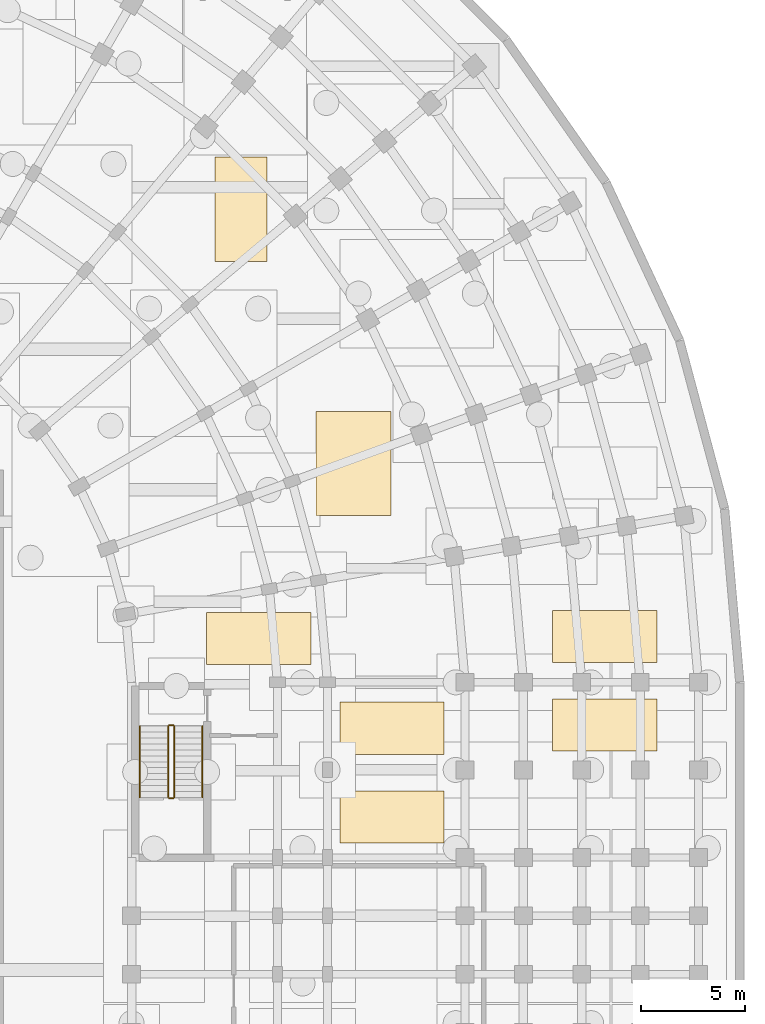
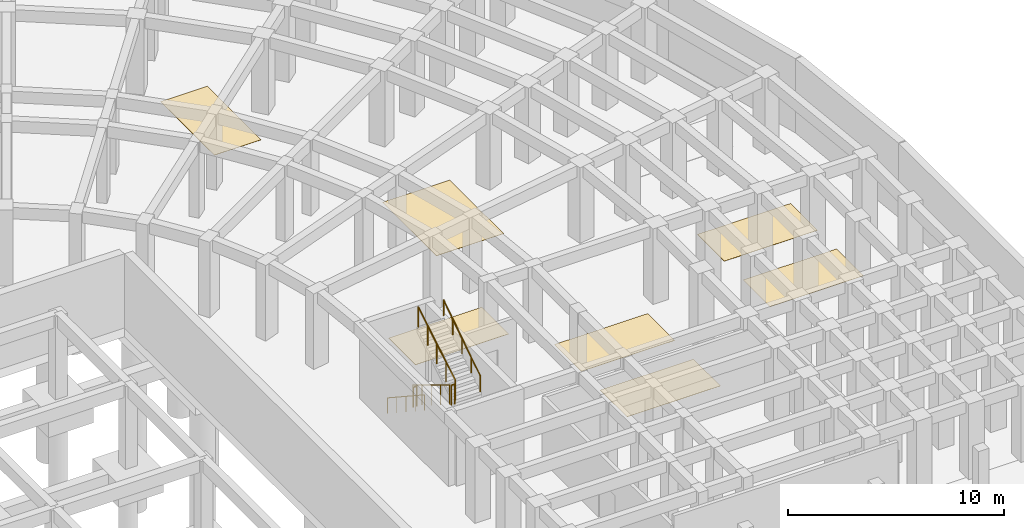
# One storey, part 51 of 53: 7 coverings, 6 railings.
"""IFC4 building model written with IfcOpenShell, lengths in metres."""

from ifc_helpers import new_model, si_unit, direction, frame, origin, origin_2d, place, context, subcontext, project, spatial, polyline, circle, outline, extrude, material, layer, layer_set, type_object, element, save


model = new_model("IFC4")

# Units and contexts
model_context = context("Model", 3, precision=1e-05, world=origin(), true_north=direction((0.0, 1.0)))
body_context = subcontext(model_context, "Body", "Model", "MODEL_VIEW")
ifc_project = project(units=[si_unit("LENGTHUNIT", "METRE"), si_unit("AREAUNIT", "SQUARE_METRE"), si_unit("VOLUMEUNIT", "CUBIC_METRE"), si_unit("PLANEANGLEUNIT", "RADIAN"), si_unit("MASSUNIT", "GRAM", prefix="KILO")], contexts=[model_context])

# Site, building, storey
site_placement = place(None, origin())
site = spatial("IfcSite", under=ifc_project, at=site_placement, CompositionType="ELEMENT")
building_placement = place(site_placement, origin())
building = spatial("IfcBuilding", under=site, at=building_placement, Name="Kiranvali Square Residences", CompositionType="ELEMENT")
storey_placement = place(building_placement, frame((0.0, 0.0, -4.5)))
storey = spatial("IfcBuildingStorey", under=building, at=storey_placement, Name="B1", CompositionType="ELEMENT", Elevation=-4.5)

# Coverings
ifc_material_1 = material(Name="Polished terrazzo and anti-slip vitrified floor finish", Category="stone")
ifc_layer_1 = layer(ifc_material_1, 0.014892578125)
ifc_layer_set_1 = layer_set([ifc_layer_1], Name="Polished terrazzo and anti-slip vitrified floor finish")
covering_type_1 = type_object("IfcCoveringType", Name="COV-BAY-ACC", PredefinedType="FLOORING", material=ifc_layer_set_1)
covering_1_placement = place(storey_placement, origin())
element("IfcCovering", 1, at=covering_1_placement, inside=storey, type_object=covering_type_1, Name="Accessible Parking Bay ACC-09", PredefinedType="FLOORING", context=body_context, shape_type="SweptSolid", body=[
    extrude(outline(polyline([(147.449951171875, 95.800048828125), (151.050048828125, 95.800048828125), (151.050048828125, 100.800048828125), (147.449951171875, 100.800048828125), (147.449951171875, 95.800048828125)])), origin(), (0.0, 0.0, 1.0), 0.014892578125),
])
ifc_layer_2 = layer(ifc_material_1, 0.014892578125)
ifc_layer_set_2 = layer_set([ifc_layer_2], Name="Polished terrazzo and anti-slip vitrified floor finish")
covering_type_2 = type_object("IfcCoveringType", Name="COV-BAY-STD", PredefinedType="FLOORING", material=ifc_layer_set_2)
covering_2_placement = place(storey_placement, origin())
element("IfcCovering", 2, at=covering_2_placement, inside=storey, type_object=covering_type_2, Name="Standard Car Parking Bay P-009", PredefinedType="FLOORING", context=body_context, shape_type="SweptSolid", body=[
    extrude(outline(polyline([(142.60009765625, 108.0), (145.10009765625, 108.0), (145.10009765625, 113.0), (142.60009765625, 113.0), (142.60009765625, 108.0)])), origin(), (0.0, 0.0, 1.0), 0.014892578125),
])
covering_3_placement = place(storey_placement, origin())
element("IfcCovering", 3, at=covering_3_placement, inside=storey, type_object=covering_type_2, Name="Standard Car Parking Bay P-055", PredefinedType="FLOORING", context=body_context, shape_type="SweptSolid", body=[
    extrude(outline(polyline([(142.199951171875, 88.64990234375), (147.199951171875, 88.64990234375), (147.199951171875, 91.14990234375), (142.199951171875, 91.14990234375), (142.199951171875, 88.64990234375)])), origin(), (0.0, 0.0, 1.0), 0.014892578125),
])
covering_4_placement = place(storey_placement, origin())
element("IfcCovering", 4, at=covering_4_placement, inside=storey, type_object=covering_type_2, Name="Standard Car Parking Bay P-058", PredefinedType="FLOORING", context=body_context, shape_type="SweptSolid", body=[
    extrude(outline(polyline([(148.60009765625, 80.10009765625), (153.60009765625, 80.10009765625), (153.60009765625, 82.60009765625), (148.60009765625, 82.60009765625), (148.60009765625, 80.10009765625)])), origin(), (0.0, 0.0, 1.0), 0.014892578125),
])
covering_5_placement = place(storey_placement, origin())
element("IfcCovering", 5, at=covering_5_placement, inside=storey, type_object=covering_type_2, Name="Standard Car Parking Bay P-059", PredefinedType="FLOORING", context=body_context, shape_type="SweptSolid", body=[
    extrude(outline(polyline([(148.60009765625, 84.35009765625), (153.60009765625, 84.35009765625), (153.60009765625, 86.85009765625), (148.60009765625, 86.85009765625), (148.60009765625, 84.35009765625)])), origin(), (0.0, 0.0, 1.0), 0.014892578125),
])
covering_6_placement = place(storey_placement, origin())
element("IfcCovering", 6, at=covering_6_placement, inside=storey, type_object=covering_type_2, Name="Standard Car Parking Bay P-062", PredefinedType="FLOORING", context=body_context, shape_type="SweptSolid", body=[
    extrude(outline(polyline([(158.800048828125, 84.5), (163.800048828125, 84.5), (163.800048828125, 87.0), (158.800048828125, 87.0), (158.800048828125, 84.5)])), origin(), (0.0, 0.0, 1.0), 0.014892578125),
])
covering_7_placement = place(storey_placement, origin())
element("IfcCovering", 7, at=covering_7_placement, inside=storey, type_object=covering_type_2, Name="Standard Car Parking Bay P-063", PredefinedType="FLOORING", context=body_context, shape_type="SweptSolid", body=[
    extrude(outline(polyline([(158.800048828125, 88.75), (163.800048828125, 88.75), (163.800048828125, 91.25), (158.800048828125, 91.25), (158.800048828125, 88.75)])), origin(), (0.0, 0.0, 1.0), 0.014892578125),
])

# Railings
ifc_material_2 = material(Name="Brushed stainless steel tubular handrail", Category="steel")
railing_type_1 = type_object("IfcRailingType", Name="RL-HANDRAIL-900", PredefinedType="HANDRAIL", material=ifc_material_2)
railing_1_placement = place(storey_placement, frame((139.0, 85.699951171875, 0.173095703125)))
element("IfcRailing", 8, at=railing_1_placement, inside=storey, type_object=railing_type_1, Name="B1 ST-B3 stair handrail 1", PredefinedType="HANDRAIL", context=body_context, shape_type="SweptSolid", body=[
    extrude(circle(Radius=0.02392578125, at=origin_2d()), frame((0.0, 0.0, 0.8759765625), z_axis=(0.0, -0.835411317272, 0.549625264133), x_axis=(1.0, 0.0, 0.0)), (0.0, 0.0, 1.0), 4.09375),
    extrude(circle(Radius=0.02099609375, at=origin_2d()), origin(), (0.0, 0.0, 1.0), 0.851806640625),
    extrude(circle(Radius=0.02099609375, at=origin_2d()), frame((0.0, -0.85498046875, 0.5625)), (0.0, 0.0, 1.0), 0.851806640625),
    extrude(circle(Radius=0.02099609375, at=origin_2d()), frame((0.0, -1.7099609375, 1.125)), (0.0, 0.0, 1.0), 0.851806640625),
    extrude(circle(Radius=0.02099609375, at=origin_2d()), frame((0.0, -2.56494140625, 1.6875)), (0.0, 0.0, 1.0), 0.851806640625),
    extrude(circle(Radius=0.02099609375, at=origin_2d()), frame((0.0, -3.419921875, 2.25)), (0.0, 0.0, 1.0), 0.851806640625),
])
railing_2_placement = place(storey_placement, frame((142.0, 82.280029296875, 2.423095703125)))
element("IfcRailing", 9, at=railing_2_placement, inside=storey, type_object=railing_type_1, Name="B1 ST-B3 stair handrail 2", PredefinedType="HANDRAIL", context=body_context, shape_type="SweptSolid", body=[
    extrude(circle(Radius=0.02392578125, at=origin_2d()), frame((0.0, 0.0, 0.8759765625), z_axis=(0.0, 0.835411317272, 0.549625264133), x_axis=(-1.0, 0.0, 0.0)), (0.0, 0.0, 1.0), 4.09375),
    extrude(circle(Radius=0.02099609375, at=origin_2d()), origin(), (0.0, 0.0, 1.0), 0.851806640625),
    extrude(circle(Radius=0.02099609375, at=origin_2d()), frame((0.0, 0.85498046875, 0.5625)), (0.0, 0.0, 1.0), 0.851806640625),
    extrude(circle(Radius=0.02099609375, at=origin_2d()), frame((0.0, 1.7099609375, 1.125)), (0.0, 0.0, 1.0), 0.851806640625),
    extrude(circle(Radius=0.02099609375, at=origin_2d()), frame((0.0, 2.56494140625, 1.6875)), (0.0, 0.0, 1.0), 0.851806640625),
    extrude(circle(Radius=0.02099609375, at=origin_2d()), frame((0.0, 3.419921875, 2.25)), (0.0, 0.0, 1.0), 0.851806640625),
])
ifc_material_3 = material(Name="Powder-coated architectural bronze balustrade", Category="steel")
railing_type_2 = type_object("IfcRailingType", Name="RL-ST-GUARD-1200", PredefinedType="GUARDRAIL", material=ifc_material_3)
railing_3_placement = place(storey_placement, frame((140.35009765625, 85.699951171875, 0.173095703125)))
element("IfcRailing", 10, at=railing_3_placement, inside=storey, type_object=railing_type_2, Name="B1 ST-B3 stair guard 1", PredefinedType="GUARDRAIL", context=body_context, shape_type="SweptSolid", body=[
    extrude(circle(Radius=0.02392578125, at=origin_2d()), frame((0.0, 0.0, 1.1259765625), z_axis=(0.0, -0.854729506542, 0.519073665916), x_axis=(1.0, 0.0, 0.0)), (0.0, 0.0, 1.0), 4.001220703125),
    extrude(circle(Radius=0.02099609375, at=origin_2d()), origin(), (0.0, 0.0, 1.0), 1.101806640625),
    extrude(circle(Radius=0.02099609375, at=origin_2d()), frame((0.0, -0.85498046875, 0.519287109375)), (0.0, 0.0, 1.0), 1.101806640625),
    extrude(circle(Radius=0.02099609375, at=origin_2d()), frame((0.0, -1.7099609375, 1.03857421875)), (0.0, 0.0, 1.0), 1.101806640625),
    extrude(circle(Radius=0.02099609375, at=origin_2d()), frame((0.0, -2.56494140625, 1.5576171875)), (0.0, 0.0, 1.0), 1.101806640625),
    extrude(circle(Radius=0.02099609375, at=origin_2d()), frame((0.0, -3.419921875, 2.076904296875)), (0.0, 0.0, 1.0), 1.101806640625),
])
railing_4_placement = place(storey_placement, frame((140.39990234375, 82.22998046875, 2.25)))
element("IfcRailing", 11, at=railing_4_placement, inside=storey, type_object=railing_type_2, Name="B1 ST-B3 stair guard 2", PredefinedType="GUARDRAIL", context=body_context, shape_type="SweptSolid", body=[
    extrude(circle(Radius=0.02392578125, at=origin_2d()), frame((0.0, 0.0, 1.1259765625), z_axis=(1.0, 0.0, 0.0), x_axis=(0.0, 1.0, 0.0)), (0.0, 0.0, 1.0), 0.2001953125),
    extrude(circle(Radius=0.02099609375, at=origin_2d()), origin(), (0.0, 0.0, 1.0), 1.101806640625),
    extrude(circle(Radius=0.02099609375, at=origin_2d()), frame((0.2001953125, 0.0, 0.0)), (0.0, 0.0, 1.0), 1.101806640625),
])
railing_5_placement = place(storey_placement, frame((140.64990234375, 82.280029296875, 2.423095703125)))
element("IfcRailing", 12, at=railing_5_placement, inside=storey, type_object=railing_type_2, Name="B1 ST-B3 stair guard 3", PredefinedType="GUARDRAIL", context=body_context, shape_type="SweptSolid", body=[
    extrude(circle(Radius=0.02392578125, at=origin_2d()), frame((0.0, 0.0, 1.1259765625), z_axis=(0.0, 0.854729506542, 0.519073665916), x_axis=(-1.0, 0.0, 0.0)), (0.0, 0.0, 1.0), 4.001220703125),
    extrude(circle(Radius=0.02099609375, at=origin_2d()), origin(), (0.0, 0.0, 1.0), 1.101806640625),
    extrude(circle(Radius=0.02099609375, at=origin_2d()), frame((0.0, 0.85498046875, 0.519287109375)), (0.0, 0.0, 1.0), 1.101806640625),
    extrude(circle(Radius=0.02099609375, at=origin_2d()), frame((0.0, 1.7099609375, 1.03857421875)), (0.0, 0.0, 1.0), 1.101806640625),
    extrude(circle(Radius=0.02099609375, at=origin_2d()), frame((0.0, 2.56494140625, 1.5576171875)), (0.0, 0.0, 1.0), 1.101806640625),
    extrude(circle(Radius=0.02099609375, at=origin_2d()), frame((0.0, 3.419921875, 2.076904296875)), (0.0, 0.0, 1.0), 1.101806640625),
])
railing_6_placement = place(storey_placement, frame((140.39990234375, 85.75, 0.0)))
element("IfcRailing", 13, at=railing_6_placement, inside=storey, type_object=railing_type_2, Name="B1 ST-B3 stair guard 4", PredefinedType="GUARDRAIL", context=body_context, shape_type="SweptSolid", body=[
    extrude(circle(Radius=0.02392578125, at=origin_2d()), frame((0.0, 0.0, 1.1259765625), z_axis=(1.0, 0.0, 0.0), x_axis=(0.0, 1.0, 0.0)), (0.0, 0.0, 1.0), 0.2001953125),
    extrude(circle(Radius=0.02099609375, at=origin_2d()), origin(), (0.0, 0.0, 1.0), 1.101806640625),
    extrude(circle(Radius=0.02099609375, at=origin_2d()), frame((0.2001953125, 0.0, 0.0)), (0.0, 0.0, 1.0), 1.101806640625),
])

save(model, "model.ifc")
